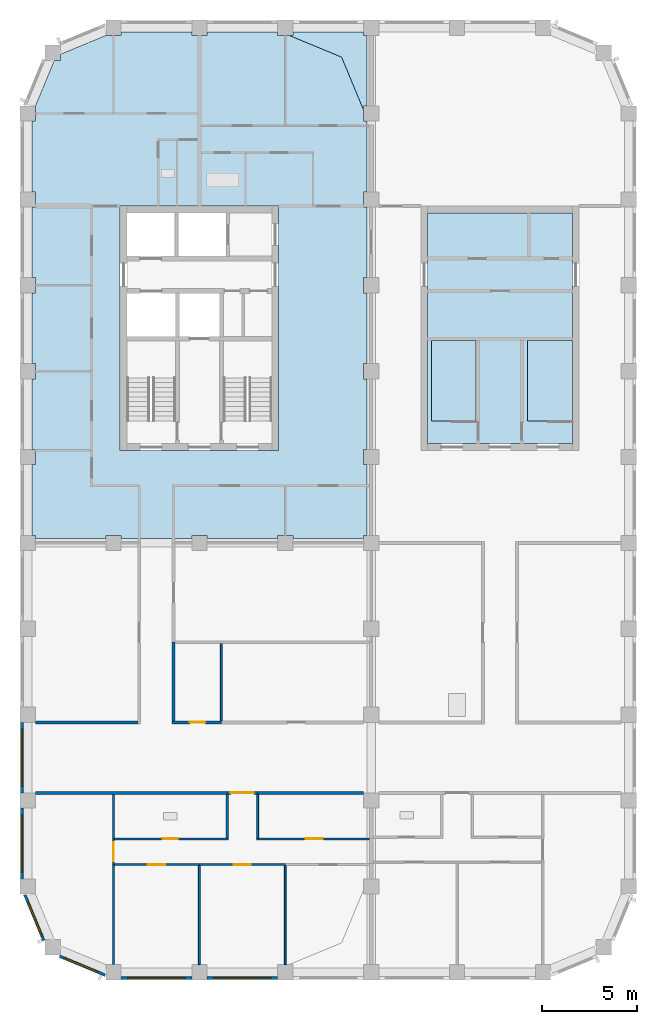
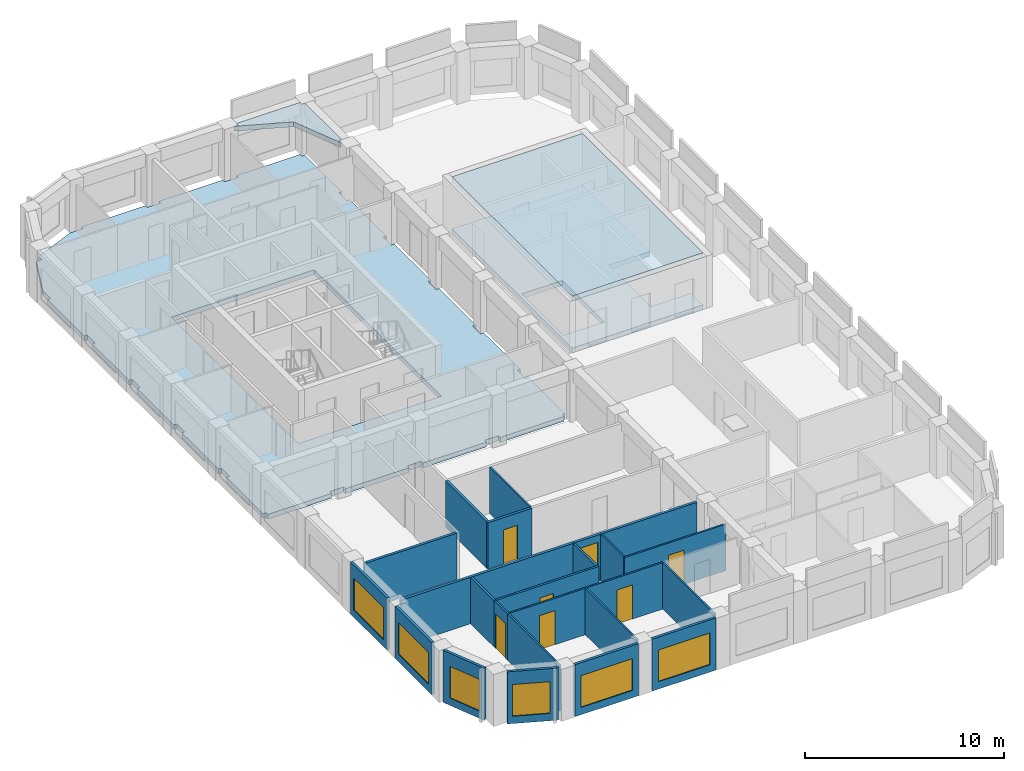
# One storey, part 2 of 10: 24 walls, 7 doors, 6 windows, 4 slabs, 13 openings.
"""IFC4 building model written with IfcOpenShell, lengths in metres."""

from ifc_helpers import new_model, si_unit, direction, frame, frame_2d, origin, place, context, subcontext, project, spatial, polyline, rectangle, outline, extrude, material, layer, layer_set, type_object, element, fill, save


model = new_model("IFC4")

# Units and contexts
model_context = context("Model", 3, precision=1e-05, world=origin(), true_north=direction((0.0, 1.0)))
body_context = subcontext(model_context, "Body", "Model", "MODEL_VIEW")
ifc_project = project(units=[si_unit("LENGTHUNIT", "METRE"), si_unit("AREAUNIT", "SQUARE_METRE"), si_unit("VOLUMEUNIT", "CUBIC_METRE"), si_unit("PLANEANGLEUNIT", "RADIAN"), si_unit("MASSUNIT", "GRAM", prefix="KILO")], contexts=[model_context])

# Site, building, storey
site_placement = place(None, origin())
site = spatial("IfcSite", under=ifc_project, at=site_placement, CompositionType="ELEMENT")
building_placement = place(site_placement, origin())
building = spatial("IfcBuilding", under=site, at=building_placement, Name="Girih Gate Residences", CompositionType="ELEMENT")
storey_placement = place(building_placement, frame((0.0, 0.0, 232.4951171875)))
storey = spatial("IfcBuildingStorey", under=building, at=storey_placement, Name="L65", CompositionType="ELEMENT", Elevation=232.4951171875)

# Slabs
ifc_material_1 = material(Name="Concrete C40/50", Category="concrete")
ifc_layer_1 = layer(ifc_material_1, 0.300048828125)
ifc_layer_set_1 = layer_set([ifc_layer_1], Name="Core floor slab 300")
slab_type_1 = type_object("IfcSlabType", Name="Core floor slab 300", PredefinedType="FLOOR", material=ifc_layer_set_1)
slab_1_placement = place(storey_placement, frame((0.0, 0.0, -0.300048828125)))
element("IfcSlab", 1, at=slab_1_placement, inside=storey, type_object=slab_type_1, Name="L65 C core floor", PredefinedType="FLOOR", context=body_context, shape_type="SweptSolid", body=[
    extrude(outline(polyline([(28.550048828125, 27.699951171875), (20.949951171875, 27.699951171875), (20.949951171875, 39.800048828125), (28.550048828125, 39.800048828125), (28.550048828125, 33.10009765625), (26.199951171875, 33.10009765625), (26.199951171875, 28.900634765625), (28.550048828125, 28.900634765625), (28.550048828125, 27.699951171875)]), holes=[polyline([(23.5, 28.900634765625), (23.5, 33.10009765625), (21.14990234375, 33.10009765625), (21.14990234375, 28.900634765625), (23.5, 28.900634765625)])]), origin(), (0.0, 0.0, 1.0), 0.300048828125),
])
ifc_layer_2 = layer(ifc_material_1, 0.300048828125)
ifc_layer_set_2 = layer_set([ifc_layer_2], Name="Floor slab PT 300 Concrete C40/50")
slab_type_2 = type_object("IfcSlabType", Name="Floor slab PT 300 Concrete C40/50", PredefinedType="FLOOR", material=ifc_layer_set_2)
slab_2_placement = place(storey_placement, frame((0.0, 0.0, -0.300048828125)))
element("IfcSlab", 2, at=slab_2_placement, inside=storey, type_object=slab_type_2, Name="Floor slab L65 2", PredefinedType="FLOOR", context=body_context, shape_type="SweptSolid", body=[
    extrude(outline(polyline([(0.22509765625, 26.60009765625), (0.22509765625, 22.89990234375), (0.39990234375, 22.89990234375), (0.39990234375, 22.72509765625), (4.10009765625, 22.72509765625), (4.10009765625, 22.89990234375), (4.89990234375, 22.89990234375), (4.89990234375, 22.72509765625), (8.60009765625, 22.72509765625), (8.60009765625, 22.89990234375), (9.39990234375, 22.89990234375), (9.39990234375, 22.72509765625), (13.10009765625, 22.72509765625), (13.10009765625, 22.89990234375), (13.89990234375, 22.89990234375), (13.89990234375, 22.72509765625), (17.60009765625, 22.72509765625), (17.60009765625, 22.89990234375), (17.77490234375, 22.89990234375), (17.77490234375, 26.60009765625), (17.60009765625, 26.60009765625), (17.60009765625, 27.39990234375), (17.77490234375, 27.39990234375), (17.77490234375, 31.10009765625), (17.60009765625, 31.10009765625), (17.60009765625, 31.89990234375), (17.77490234375, 31.89990234375), (17.77490234375, 35.60009765625), (17.60009765625, 35.60009765625), (17.60009765625, 36.39990234375), (17.77490234375, 36.39990234375), (17.77490234375, 40.10009765625), (17.60009765625, 40.10009765625), (17.60009765625, 40.89990234375), (17.77490234375, 40.89990234375), (17.77490234375, 44.60009765625), (17.60009765625, 44.60009765625), (17.60009765625, 45.39990234375), (17.77490234375, 45.39990234375), (17.77490234375, 49.10009765625), (17.60009765625, 49.10009765625), (17.60009765625, 49.27490234375), (13.89990234375, 49.27490234375), (13.89990234375, 49.10009765625), (13.10009765625, 49.10009765625), (13.10009765625, 49.27490234375), (9.39990234375, 49.27490234375), (9.39990234375, 49.10009765625), (8.60009765625, 49.10009765625), (8.60009765625, 49.27490234375), (4.89990234375, 49.27490234375), (4.89990234375, 49.10009765625), (4.122314453125, 49.10009765625), (1.718017578125, 48.104248046875), (1.718017578125, 47.781982421875), (1.395751953125, 47.781982421875), (0.39990234375, 45.377685546875), (0.39990234375, 44.60009765625), (0.22509765625, 44.60009765625), (0.22509765625, 40.89990234375), (0.39990234375, 40.89990234375), (0.39990234375, 40.10009765625), (0.22509765625, 40.10009765625), (0.22509765625, 36.39990234375), (0.39990234375, 36.39990234375), (0.39990234375, 35.60009765625), (0.22509765625, 35.60009765625), (0.22509765625, 31.89990234375), (0.39990234375, 31.89990234375), (0.39990234375, 31.10009765625), (0.22509765625, 31.10009765625), (0.22509765625, 27.39990234375), (0.39990234375, 27.39990234375), (0.39990234375, 26.60009765625), (0.22509765625, 26.60009765625)]), holes=[polyline([(13.14990234375, 40.14990234375), (13.14990234375, 27.35009765625), (4.85009765625, 27.35009765625), (4.85009765625, 40.14990234375), (13.14990234375, 40.14990234375)])]), origin(), (0.0, 0.0, 1.0), 0.300048828125),
])
ifc_layer_3 = layer(ifc_material_1, 0.300048828125)
ifc_layer_set_3 = layer_set([ifc_layer_3], Name="Roof slab RC 300 Concrete C40/50")
slab_type_3 = type_object("IfcSlabType", Name="Roof slab RC 300 Concrete C40/50", PredefinedType="ROOF", material=ifc_layer_set_3)
slab_3_placement = place(storey_placement, frame((0.0, 0.0, 2.89990234375)))
element("IfcSlab", 3, at=slab_3_placement, inside=storey, type_object=slab_type_3, Name="Roof slab L65 2", PredefinedType="ROOF", context=body_context, shape_type="SweptSolid", body=[
    extrude(outline(polyline([(20.949951171875, 39.800048828125), (20.949951171875, 27.699951171875), (28.550048828125, 27.699951171875), (28.550048828125, 39.800048828125), (20.949951171875, 39.800048828125)])), origin(), (0.0, 0.0, 1.0), 0.300048828125),
])
slab_4_placement = place(storey_placement, frame((0.0, 0.0, 2.89990234375)))
element("IfcSlab", 4, at=slab_4_placement, inside=storey, type_object=slab_type_3, Name="Roof slab L65 3", PredefinedType="ROOF", context=body_context, shape_type="SweptSolid", body=[
    extrude(outline(polyline([(17.60009765625, 49.27490234375), (13.89990234375, 49.27490234375), (13.89990234375, 49.10009765625), (13.681640625, 49.10009765625), (16.452392578125, 47.952392578125), (17.60009765625, 45.181640625), (17.60009765625, 45.39990234375), (17.77490234375, 45.39990234375), (17.77490234375, 49.10009765625), (17.60009765625, 49.10009765625), (17.60009765625, 49.27490234375)])), origin(), (0.0, 0.0, 1.0), 0.300048828125),
])

# Wall, opening, door
ifc_material_2 = material(Name="Gypsum board on steel studs", Category="steel")
ifc_layer_4 = layer(ifc_material_2, 0.14990234375)
ifc_layer_set_4 = layer_set([ifc_layer_4], Name="Compartment wall 150 mm")
wall_type_1 = type_object("IfcWallType", Name="Compartment wall 150 mm", PredefinedType="PARTITIONING", material=ifc_layer_set_4)
wall_1_placement = place(storey_placement, frame((12.050048828125, 9.39990234375, 0.0), z_axis=(0.0, 0.0, 1.0), x_axis=(-1.0, 0.0, 0.0)))
wall_1 = element("IfcWall", 5, at=wall_1_placement, inside=storey, type_object=wall_type_1, Name="L65 partition", PredefinedType="PARTITIONING", context=body_context, shape_type="SweptSolid", body=[
    extrude(rectangle(XDim=1.60009765625, YDim=0.14990234375, at=frame_2d((0.800048828125, 0.0))), origin(), (0.0, 0.0, 1.0), 2.849853515625),
])
opening_1_placement = place(wall_1_placement, frame((0.199951171875, 0.0, 0.0)))
opening_1 = element("IfcOpeningElement", 6, at=opening_1_placement, cuts=wall_1, Name="Opening A65-007", PredefinedType="OPENING", context=body_context, shape_type="SweptSolid", body=[
    extrude(rectangle(XDim=1.199951171875, YDim=2.39990234375, at=frame_2d((0.60009765625, 1.199951171875))), frame((0.0, 0.0849609375, 0.0), z_axis=(0.0, -1.0, 0.0), x_axis=(1.0, 0.0, 0.0)), (0.0, 0.0, 1.0), 0.169921875),
])
ifc_material_3 = material(Name="Timber, fire-rated core", Category="wood")
door_type_1 = type_object("IfcDoorType", Name="Villa entrance door 1200x2400 FD30S", OperationType="NOTDEFINED", PredefinedType="DOOR", material=ifc_material_3)
door_1_placement = place(opening_1_placement, origin())
door_1 = element("IfcDoor", 7, at=door_1_placement, inside=storey, type_object=door_type_1, Name="Door A65-007", OperationType="SINGLE_SWING_LEFT", OverallHeight=2.39990234375, OverallWidth=1.199951171875, PredefinedType="DOOR", context=body_context, shape_type="SweptSolid", body=[
    extrude(rectangle(XDim=1.199951171875, YDim=2.39990234375, at=frame_2d((0.60009765625, 1.199951171875))), frame((0.0, 0.02490234375, 0.0), z_axis=(0.0, -1.0, 0.0), x_axis=(1.0, 0.0, 0.0)), (0.0, 0.0, 1.0), 0.050048828125),
])
fill(opening_1, door_1)

# Walls
wall_2_placement = place(storey_placement, frame((12.050048828125, 9.39990234375, 0.0), z_axis=(0.0, 0.0, 1.0), x_axis=(1.0, 0.0, 0.0)))
element("IfcWall", 8, at=wall_2_placement, inside=storey, type_object=wall_type_1, Name="L65 partition", PredefinedType="PARTITIONING", context=body_context, shape_type="SweptSolid", body=[
    extrude(rectangle(XDim=5.550048828125, YDim=0.14990234375, at=frame_2d((2.77490234375, 0.0))), origin(), (0.0, 0.0, 1.0), 2.849853515625),
])
wall_3_placement = place(storey_placement, frame((0.39990234375, 9.39990234375, 0.0), z_axis=(0.0, 0.0, 1.0), x_axis=(1.0, 0.0, 0.0)))
element("IfcWall", 9, at=wall_3_placement, inside=storey, type_object=wall_type_1, Name="L65 partition", PredefinedType="PARTITIONING", context=body_context, shape_type="SweptSolid", body=[
    extrude(rectangle(XDim=10.050048828125, YDim=0.14990234375, at=frame_2d((5.02490234375, 0.0))), origin(), (0.0, 0.0, 1.0), 2.849853515625),
])

# Wall, opening, door
wall_4_placement = place(storey_placement, frame((7.574951171875, 13.10009765625, 0.0), z_axis=(0.0, 0.0, 1.0), x_axis=(1.0, 0.0, 0.0)))
wall_4 = element("IfcWall", 10, at=wall_4_placement, inside=storey, type_object=wall_type_1, Name="L65 partition", PredefinedType="PARTITIONING", context=body_context, shape_type="SweptSolid", body=[
    extrude(rectangle(XDim=2.574951171875, YDim=0.14990234375, at=frame_2d((1.28759765625, 0.0))), origin(), (0.0, 0.0, 1.0), 2.849853515625),
])
opening_2_placement = place(wall_4_placement, frame((0.925048828125, 0.0, 0.0)))
opening_2 = element("IfcOpeningElement", 11, at=opening_2_placement, cuts=wall_4, Name="Opening A65-030", PredefinedType="OPENING", context=body_context, shape_type="SweptSolid", body=[
    extrude(rectangle(XDim=0.800048828125, YDim=2.10009765625, at=frame_2d((0.39990234375, 1.050048828125))), frame((0.0, 0.0849609375, 0.0), z_axis=(0.0, -1.0, 0.0), x_axis=(1.0, 0.0, 0.0)), (0.0, 0.0, 1.0), 0.169921875),
])
ifc_material_4 = material(Name="Timber", Category="wood")
door_type_2 = type_object("IfcDoorType", Name="Bathroom door 800x2100", OperationType="NOTDEFINED", PredefinedType="DOOR", material=ifc_material_4)
door_2_placement = place(opening_2_placement, origin())
door_2 = element("IfcDoor", 12, at=door_2_placement, inside=storey, type_object=door_type_2, Name="Door A65-030", OperationType="SINGLE_SWING_RIGHT", OverallHeight=2.10009765625, OverallWidth=0.800048828125, PredefinedType="DOOR", context=body_context, shape_type="SweptSolid", body=[
    extrude(rectangle(XDim=0.800048828125, YDim=2.10009765625, at=frame_2d((0.39990234375, 1.050048828125))), frame((0.0, 0.02490234375, 0.0), z_axis=(0.0, -1.0, 0.0), x_axis=(1.0, 0.0, 0.0)), (0.0, 0.0, 1.0), 0.050048828125),
])
fill(opening_2, door_2)

# Walls
wall_5_placement = place(storey_placement, frame((0.39990234375, 13.10009765625, 0.0), z_axis=(0.0, 0.0, 1.0), x_axis=(1.0, 0.0, 0.0)))
element("IfcWall", 13, at=wall_5_placement, inside=storey, type_object=wall_type_1, Name="L65 partition", PredefinedType="PARTITIONING", context=body_context, shape_type="SweptSolid", body=[
    extrude(rectangle(XDim=5.375, YDim=0.14990234375, at=frame_2d((2.6875, 0.0))), origin(), (0.0, 0.0, 1.0), 2.849853515625),
])
wall_6_placement = place(storey_placement, frame((7.64990234375, 13.175048828125, 0.0), z_axis=(0.0, 0.0, 1.0), x_axis=(0.0, 1.0, 0.0)))
element("IfcWall", 14, at=wall_6_placement, inside=storey, type_object=wall_type_1, Name="L65 partition", PredefinedType="PARTITIONING", context=body_context, shape_type="SweptSolid", body=[
    extrude(rectangle(XDim=4.125, YDim=0.14990234375, at=frame_2d((2.0625, 0.0))), origin(), (0.0, 0.0, 1.0), 2.849853515625),
])
ifc_layer_5 = layer(ifc_material_2, 0.10009765625)
ifc_layer_set_5 = layer_set([ifc_layer_5], Name="Partition 100 mm")
wall_type_2 = type_object("IfcWallType", Name="Partition 100 mm", PredefinedType="PARTITIONING", material=ifc_layer_set_5)
wall_7_placement = place(storey_placement, frame((9.0, 0.39990234375, 0.0), z_axis=(0.0, 0.0, 1.0), x_axis=(0.0, 1.0, 0.0)))
element("IfcWall", 15, at=wall_7_placement, inside=storey, type_object=wall_type_2, Name="L65 partition", PredefinedType="PARTITIONING", context=body_context, shape_type="SweptSolid", body=[
    extrude(rectangle(XDim=5.2001953125, YDim=0.10009765625, at=frame_2d((2.60009765625, 0.0))), origin(), (0.0, 0.0, 1.0), 2.849853515625),
])

# Wall, opening, door
wall_8_placement = place(storey_placement, frame((9.0, 5.64990234375, 0.0), z_axis=(0.0, 0.0, 1.0), x_axis=(-1.0, 0.0, 0.0)))
wall_8 = element("IfcWall", 16, at=wall_8_placement, inside=storey, type_object=wall_type_2, Name="L65 partition", PredefinedType="PARTITIONING", context=body_context, shape_type="SweptSolid", body=[
    extrude(rectangle(XDim=4.449951171875, YDim=0.10009765625, at=frame_2d((2.22509765625, 0.0))), origin(), (0.0, 0.0, 1.0), 2.849853515625),
])
opening_3_placement = place(wall_8_placement, frame((1.800048828125, 0.0, 0.0)))
opening_3 = element("IfcOpeningElement", 17, at=opening_3_placement, cuts=wall_8, Name="Opening A65-002", PredefinedType="OPENING", context=body_context, shape_type="SweptSolid", body=[
    extrude(rectangle(XDim=0.89990234375, YDim=2.10009765625, at=frame_2d((0.449951171875, 1.050048828125))), frame((0.0, 0.06005859375, 0.0), z_axis=(0.0, -1.0, 0.0), x_axis=(1.0, 0.0, 0.0)), (0.0, 0.0, 1.0), 0.1201171875),
])
door_type_3 = type_object("IfcDoorType", Name="Bedroom door 900x2100", OperationType="NOTDEFINED", PredefinedType="DOOR", material=ifc_material_4)
door_3_placement = place(opening_3_placement, origin())
door_3 = element("IfcDoor", 18, at=door_3_placement, inside=storey, type_object=door_type_3, Name="Door A65-002", OperationType="SINGLE_SWING_RIGHT", OverallHeight=2.10009765625, OverallWidth=0.89990234375, PredefinedType="DOOR", context=body_context, shape_type="SweptSolid", body=[
    extrude(rectangle(XDim=0.89990234375, YDim=2.10009765625, at=frame_2d((0.449951171875, 1.050048828125))), frame((0.0, 0.02490234375, 0.0), z_axis=(0.0, -1.0, 0.0), x_axis=(1.0, 0.0, 0.0)), (0.0, 0.0, 1.0), 0.050048828125),
])
fill(opening_3, door_3)

# Walls
wall_9_placement = place(storey_placement, frame((4.5, 0.432861328125, 0.0), z_axis=(0.0, 0.0, 1.0), x_axis=(0.0, 1.0, 0.0)))
element("IfcWall", 19, at=wall_9_placement, inside=storey, type_object=wall_type_2, Name="L65 partition", PredefinedType="PARTITIONING", context=body_context, shape_type="SweptSolid", body=[
    extrude(rectangle(XDim=5.217041015625, YDim=0.10009765625, at=frame_2d((2.6083984375, 0.0))), origin(), (0.0, 0.0, 1.0), 2.849853515625),
])
wall_10_placement = place(storey_placement, frame((13.5, 0.39990234375, 0.0), z_axis=(0.0, 0.0, 1.0), x_axis=(0.0, 1.0, 0.0)))
element("IfcWall", 20, at=wall_10_placement, inside=storey, type_object=wall_type_2, Name="L65 partition", PredefinedType="PARTITIONING", context=body_context, shape_type="SweptSolid", body=[
    extrude(rectangle(XDim=5.2001953125, YDim=0.10009765625, at=frame_2d((2.60009765625, 0.0))), origin(), (0.0, 0.0, 1.0), 2.849853515625),
])

# Wall, opening, door
wall_11_placement = place(storey_placement, frame((13.5, 5.64990234375, 0.0), z_axis=(0.0, 0.0, 1.0), x_axis=(-1.0, 0.0, 0.0)))
wall_11 = element("IfcWall", 21, at=wall_11_placement, inside=storey, type_object=wall_type_2, Name="L65 partition", PredefinedType="PARTITIONING", context=body_context, shape_type="SweptSolid", body=[
    extrude(rectangle(XDim=4.5, YDim=0.10009765625, at=frame_2d((2.25, 0.0))), origin(), (0.0, 0.0, 1.0), 2.849853515625),
])
opening_4_placement = place(wall_11_placement, frame((1.800048828125, 0.0, 0.0)))
opening_4 = element("IfcOpeningElement", 22, at=opening_4_placement, cuts=wall_11, Name="Opening A65-003", PredefinedType="OPENING", context=body_context, shape_type="SweptSolid", body=[
    extrude(rectangle(XDim=0.89990234375, YDim=2.10009765625, at=frame_2d((0.449951171875, 1.050048828125))), frame((0.0, 0.06005859375, 0.0), z_axis=(0.0, -1.0, 0.0), x_axis=(1.0, 0.0, 0.0)), (0.0, 0.0, 1.0), 0.1201171875),
])
door_4_placement = place(opening_4_placement, origin())
door_4 = element("IfcDoor", 23, at=door_4_placement, inside=storey, type_object=door_type_3, Name="Door A65-003", OperationType="SINGLE_SWING_LEFT", OverallHeight=2.10009765625, OverallWidth=0.89990234375, PredefinedType="DOOR", context=body_context, shape_type="SweptSolid", body=[
    extrude(rectangle(XDim=0.89990234375, YDim=2.10009765625, at=frame_2d((0.449951171875, 1.050048828125))), frame((0.0, 0.02490234375, 0.0), z_axis=(0.0, -1.0, 0.0), x_axis=(1.0, 0.0, 0.0)), (0.0, 0.0, 1.0), 0.050048828125),
])
fill(opening_4, door_4)

# Wall
wall_12_placement = place(storey_placement, frame((12.050048828125, 7.0400390625, 0.0), z_axis=(0.0, 0.0, 1.0), x_axis=(0.0, 1.0, 0.0)))
element("IfcWall", 24, at=wall_12_placement, inside=storey, type_object=wall_type_2, Name="L65 partition", PredefinedType="PARTITIONING", context=body_context, shape_type="SweptSolid", body=[
    extrude(rectangle(XDim=2.284912109375, YDim=0.10009765625, at=frame_2d((1.142578125, 0.0))), origin(), (0.0, 0.0, 1.0), 2.849853515625),
])

# Wall, opening, door
wall_13_placement = place(storey_placement, frame((12.0, 6.989990234375, 0.0), z_axis=(0.0, 0.0, 1.0), x_axis=(1.0, 0.0, 0.0)))
wall_13 = element("IfcWall", 25, at=wall_13_placement, inside=storey, type_object=wall_type_2, Name="L65 partition", PredefinedType="PARTITIONING", context=body_context, shape_type="SweptSolid", body=[
    extrude(rectangle(XDim=5.89990234375, YDim=0.10009765625, at=frame_2d((2.949951171875, 0.0))), origin(), (0.0, 0.0, 1.0), 2.849853515625),
])
opening_5_placement = place(wall_13_placement, frame((2.574951171875, 0.0, 0.0)))
opening_5 = element("IfcOpeningElement", 26, at=opening_5_placement, cuts=wall_13, Name="Opening A65-005", PredefinedType="OPENING", context=body_context, shape_type="SweptSolid", body=[
    extrude(rectangle(XDim=0.89990234375, YDim=2.10009765625, at=frame_2d((0.449951171875, 1.050048828125))), frame((0.0, 0.06005859375, 0.0), z_axis=(0.0, -1.0, 0.0), x_axis=(1.0, 0.0, 0.0)), (0.0, 0.0, 1.0), 0.1201171875),
])
door_type_4 = type_object("IfcDoorType", Name="Kitchen door 900x2100", OperationType="NOTDEFINED", PredefinedType="DOOR", material=ifc_material_4)
door_5_placement = place(opening_5_placement, origin())
door_5 = element("IfcDoor", 27, at=door_5_placement, inside=storey, type_object=door_type_4, Name="Door A65-005", OperationType="SINGLE_SWING_RIGHT", OverallHeight=2.10009765625, OverallWidth=0.89990234375, PredefinedType="DOOR", context=body_context, shape_type="SweptSolid", body=[
    extrude(rectangle(XDim=0.89990234375, YDim=2.10009765625, at=frame_2d((0.449951171875, 1.050048828125))), frame((0.0, 0.02490234375, 0.0), z_axis=(0.0, -1.0, 0.0), x_axis=(1.0, 0.0, 0.0)), (0.0, 0.0, 1.0), 0.050048828125),
])
fill(opening_5, door_5)

wall_14_placement = place(storey_placement, frame((4.5, 5.64990234375, 0.0), z_axis=(0.0, 0.0, 1.0), x_axis=(0.0, 1.0, 0.0)))
wall_14 = element("IfcWall", 28, at=wall_14_placement, inside=storey, type_object=wall_type_2, Name="L65 partition", PredefinedType="PARTITIONING", context=body_context, shape_type="SweptSolid", body=[
    extrude(rectangle(XDim=1.340087890625, YDim=0.10009765625, at=frame_2d((0.669921875, 0.0))), origin(), (0.0, 0.0, 1.0), 2.849853515625),
])
opening_6_placement = place(wall_14_placement, frame((0.169921875, 0.0, 0.0)))
opening_6 = element("IfcOpeningElement", 29, at=opening_6_placement, cuts=wall_14, Name="Opening A65-006", PredefinedType="OPENING", context=body_context, shape_type="SweptSolid", body=[
    extrude(rectangle(XDim=1.0, YDim=2.10009765625, at=frame_2d((0.5, 1.050048828125))), frame((0.0, 0.06005859375, 0.0), z_axis=(0.0, -1.0, 0.0), x_axis=(1.0, 0.0, 0.0)), (0.0, 0.0, 1.0), 0.1201171875),
])
door_type_5 = type_object("IfcDoorType", Name="Living room door 1000x2100", OperationType="NOTDEFINED", PredefinedType="DOOR", material=ifc_material_4)
door_6_placement = place(opening_6_placement, origin())
door_6 = element("IfcDoor", 30, at=door_6_placement, inside=storey, type_object=door_type_5, Name="Door A65-006", OperationType="SINGLE_SWING_RIGHT", OverallHeight=2.10009765625, OverallWidth=1.0, PredefinedType="DOOR", context=body_context, shape_type="SweptSolid", body=[
    extrude(rectangle(XDim=1.0, YDim=2.10009765625, at=frame_2d((0.5, 1.050048828125))), frame((0.0, 0.02490234375, 0.0), z_axis=(0.0, -1.0, 0.0), x_axis=(1.0, 0.0, 0.0)), (0.0, 0.0, 1.0), 0.050048828125),
])
fill(opening_6, door_6)

# Wall
wall_15_placement = place(storey_placement, frame((10.14990234375, 13.175048828125, 0.0), z_axis=(0.0, 0.0, 1.0), x_axis=(0.0, 1.0, 0.0)))
element("IfcWall", 31, at=wall_15_placement, inside=storey, type_object=wall_type_2, Name="L65 partition", PredefinedType="PARTITIONING", context=body_context, shape_type="SweptSolid", body=[
    extrude(rectangle(XDim=4.050048828125, YDim=0.10009765625, at=frame_2d((2.02490234375, 0.0))), origin(), (0.0, 0.0, 1.0), 2.849853515625),
])

# Wall, opening, window
ifc_material_5 = material(Name="Precast concrete C50/60", Category="concrete")
ifc_layer_6 = layer(ifc_material_5, 0.050048828125, Name="Outer leaf")
ifc_material_6 = material(Name="Rigid PIR insulation")
ifc_layer_7 = layer(ifc_material_6, 0.06005859375, Name="Insulation")
ifc_material_7 = material(Name="Precast concrete C40/50", Category="concrete")
ifc_layer_8 = layer(ifc_material_7, 0.0400390625, Name="Inner leaf")
ifc_layer_set_6 = layer_set([ifc_layer_6, ifc_layer_7, ifc_layer_8], Name="Precast concrete C50/60 external wall 150")
wall_type_3 = type_object("IfcWallType", Name="Precast concrete C50/60 external wall 150", PredefinedType="SOLIDWALL", material=ifc_layer_set_6)
wall_16_placement = place(storey_placement, frame((-0.300048828125, 9.39990234375, 0.0), z_axis=(0.0, 0.0, 1.0), x_axis=(0.0, 1.0, 0.0)))
wall_16 = element("IfcWall", 32, at=wall_16_placement, inside=storey, type_object=wall_type_3, Name="External wall W0000_0450.7", PredefinedType="SOLIDWALL", context=body_context, shape_type="SweptSolid", body=[
    extrude(rectangle(XDim=3.7001953125, YDim=0.14990234375, at=frame_2d((1.85009765625, 0.0))), origin(), (0.0, 0.0, 1.0), 3.199951171875),
])
opening_7_placement = place(wall_16_placement, frame((0.35009765625, 0.0, 0.449951171875)))
opening_7 = element("IfcOpeningElement", 33, at=opening_7_placement, cuts=wall_16, Name="Opening W-1D", PredefinedType="OPENING", context=body_context, shape_type="SweptSolid", body=[
    extrude(rectangle(XDim=3.0, YDim=1.949951171875, at=frame_2d((1.5, 0.97509765625))), frame((0.0, 0.0849609375, 0.0), z_axis=(0.0, -1.0, 0.0), x_axis=(1.0, 0.0, 0.0)), (0.0, 0.0, 1.0), 0.169921875),
])
ifc_material_8 = material(Name="Double glazing in aluminium frame", Category="aluminium")
window_type_1 = type_object("IfcWindowType", Name="Window W-1D 3000x1950", PartitioningType="SINGLE_PANEL", PredefinedType="WINDOW", material=ifc_material_8)
window_1_placement = place(opening_7_placement, origin())
window_1 = element("IfcWindow", 34, at=window_1_placement, inside=storey, type_object=window_type_1, Name="Window W-1D W0000_0450.7", OverallHeight=1.949951171875, OverallWidth=3.0, PartitioningType="SINGLE_PANEL", PredefinedType="WINDOW", context=body_context, shape_type="SweptSolid", body=[
    extrude(rectangle(XDim=3.0, YDim=1.949951171875, at=frame_2d((1.5, 0.97509765625))), frame((0.0, 0.030029296875, 0.0), z_axis=(0.0, -1.0, 0.0), x_axis=(1.0, 0.0, 0.0)), (0.0, 0.0, 1.0), 0.06005859375),
])
fill(opening_7, window_1)

wall_17_placement = place(storey_placement, frame((-0.300048828125, 4.89990234375, 0.0), z_axis=(0.0, 0.0, 1.0), x_axis=(0.0, 1.0, 0.0)))
wall_17 = element("IfcWall", 35, at=wall_17_placement, inside=storey, type_object=wall_type_3, Name="External wall W0000_0450.8", PredefinedType="SOLIDWALL", context=body_context, shape_type="SweptSolid", body=[
    extrude(rectangle(XDim=3.7001953125, YDim=0.14990234375, at=frame_2d((1.85009765625, 0.0))), origin(), (0.0, 0.0, 1.0), 3.199951171875),
])
opening_8_placement = place(wall_17_placement, frame((0.35009765625, 0.0, 0.449951171875)))
opening_8 = element("IfcOpeningElement", 36, at=opening_8_placement, cuts=wall_17, Name="Opening W-1D", PredefinedType="OPENING", context=body_context, shape_type="SweptSolid", body=[
    extrude(rectangle(XDim=3.0, YDim=1.949951171875, at=frame_2d((1.5, 0.97509765625))), frame((0.0, 0.0849609375, 0.0), z_axis=(0.0, -1.0, 0.0), x_axis=(1.0, 0.0, 0.0)), (0.0, 0.0, 1.0), 0.169921875),
])
window_2_placement = place(opening_8_placement, origin())
window_2 = element("IfcWindow", 37, at=window_2_placement, inside=storey, type_object=window_type_1, Name="Window W-1D W0000_0450.8", OverallHeight=1.949951171875, OverallWidth=3.0, PartitioningType="SINGLE_PANEL", PredefinedType="WINDOW", context=body_context, shape_type="SweptSolid", body=[
    extrude(rectangle(XDim=3.0, YDim=1.949951171875, at=frame_2d((1.5, 0.97509765625))), frame((0.0, 0.030029296875, 0.0), z_axis=(0.0, -1.0, 0.0), x_axis=(1.0, 0.0, 0.0)), (0.0, 0.0, 1.0), 0.06005859375),
])
fill(opening_8, window_2)

wall_18_placement = place(storey_placement, frame((0.8486328125, 1.6669921875, 0.0), z_axis=(0.0, 0.0, 1.0), x_axis=(-0.382669406082, 0.923885342263, 0.0)))
wall_18 = element("IfcWall", 38, at=wall_18_placement, inside=storey, type_object=wall_type_3, Name="External wall SW0000_0045.0", PredefinedType="SOLIDWALL", context=body_context, shape_type="SweptSolid", body=[
    extrude(rectangle(XDim=2.602294921875, YDim=0.14990234375, at=frame_2d((1.30126953125, 0.0))), origin(), (0.0, 0.0, 1.0), 3.199951171875),
])
opening_9_placement = place(wall_18_placement, frame((0.27001953125, 0.0, 0.449951171875)))
opening_9 = element("IfcOpeningElement", 39, at=opening_9_placement, cuts=wall_18, Name="Opening W-2G", PredefinedType="OPENING", context=body_context, shape_type="SweptSolid", body=[
    extrude(rectangle(XDim=1.89990234375, YDim=1.949951171875, at=frame_2d((0.949951171875, 0.97509765625))), frame((0.0, 0.0849609375, 0.0), z_axis=(0.0, -1.0, 0.0), x_axis=(1.0, 0.0, 0.0)), (0.0, 0.0, 1.0), 0.169921875),
])
window_type_2 = type_object("IfcWindowType", Name="Window W-2G 1900x1950", PartitioningType="SINGLE_PANEL", PredefinedType="WINDOW", material=ifc_material_8)
window_3_placement = place(opening_9_placement, origin())
window_3 = element("IfcWindow", 40, at=window_3_placement, inside=storey, type_object=window_type_2, Name="Window W-2G SW0000_0045.0", OverallHeight=1.949951171875, OverallWidth=1.89990234375, PartitioningType="SINGLE_PANEL", PredefinedType="WINDOW", context=body_context, shape_type="SweptSolid", body=[
    extrude(rectangle(XDim=1.89990234375, YDim=1.949951171875, at=frame_2d((0.949951171875, 0.97509765625))), frame((0.0, 0.030029296875, 0.0), z_axis=(0.0, -1.0, 0.0), x_axis=(1.0, 0.0, 0.0)), (0.0, 0.0, 1.0), 0.06005859375),
])
fill(opening_9, window_3)

wall_19_placement = place(storey_placement, frame((4.0712890625, -0.147216796875, 0.0), z_axis=(0.0, 0.0, 1.0), x_axis=(-0.923885342263, 0.382669406082, 0.0)))
wall_19 = element("IfcWall", 41, at=wall_19_placement, inside=storey, type_object=wall_type_3, Name="External wall SW0013_0013.0", PredefinedType="SOLIDWALL", context=body_context, shape_type="SweptSolid", body=[
    extrude(rectangle(XDim=2.602294921875, YDim=0.14990234375, at=frame_2d((1.30126953125, 0.0))), origin(), (0.0, 0.0, 1.0), 3.199951171875),
])
opening_10_placement = place(wall_19_placement, frame((0.432373046875, 0.0, 0.449951171875)))
opening_10 = element("IfcOpeningElement", 42, at=opening_10_placement, cuts=wall_19, Name="Opening W-2G", PredefinedType="OPENING", context=body_context, shape_type="SweptSolid", body=[
    extrude(rectangle(XDim=1.89990234375, YDim=1.949951171875, at=frame_2d((0.949951171875, 0.97509765625))), frame((0.0, 0.0849609375, 0.0), z_axis=(0.0, -1.0, 0.0), x_axis=(1.0, 0.0, 0.0)), (0.0, 0.0, 1.0), 0.169921875),
])
window_4_placement = place(opening_10_placement, origin())
window_4 = element("IfcWindow", 43, at=window_4_placement, inside=storey, type_object=window_type_2, Name="Window W-2G SW0013_0013.0", OverallHeight=1.949951171875, OverallWidth=1.89990234375, PartitioningType="SINGLE_PANEL", PredefinedType="WINDOW", context=body_context, shape_type="SweptSolid", body=[
    extrude(rectangle(XDim=1.89990234375, YDim=1.949951171875, at=frame_2d((0.949951171875, 0.97509765625))), frame((0.0, 0.030029296875, 0.0), z_axis=(0.0, -1.0, 0.0), x_axis=(1.0, 0.0, 0.0)), (0.0, 0.0, 1.0), 0.06005859375),
])
fill(opening_10, window_4)

wall_20_placement = place(storey_placement, frame((8.60009765625, -0.300048828125, 0.0), z_axis=(0.0, 0.0, 1.0), x_axis=(-1.0, 0.0, 0.0)))
wall_20 = element("IfcWall", 44, at=wall_20_placement, inside=storey, type_object=wall_type_3, Name="External wall S0045_0000.0", PredefinedType="SOLIDWALL", context=body_context, shape_type="SweptSolid", body=[
    extrude(rectangle(XDim=3.7001953125, YDim=0.14990234375, at=frame_2d((1.85009765625, 0.0))), origin(), (0.0, 0.0, 1.0), 3.199951171875),
])
opening_11_placement = place(wall_20_placement, frame((0.35009765625, 0.0, 0.449951171875)))
opening_11 = element("IfcOpeningElement", 45, at=opening_11_placement, cuts=wall_20, Name="Opening W-1D", PredefinedType="OPENING", context=body_context, shape_type="SweptSolid", body=[
    extrude(rectangle(XDim=3.0, YDim=1.949951171875, at=frame_2d((1.5, 0.97509765625))), frame((0.0, 0.0849609375, 0.0), z_axis=(0.0, -1.0, 0.0), x_axis=(1.0, 0.0, 0.0)), (0.0, 0.0, 1.0), 0.169921875),
])
window_5_placement = place(opening_11_placement, origin())
window_5 = element("IfcWindow", 46, at=window_5_placement, inside=storey, type_object=window_type_1, Name="Window W-1D S0045_0000.0", OverallHeight=1.949951171875, OverallWidth=3.0, PartitioningType="SINGLE_PANEL", PredefinedType="WINDOW", context=body_context, shape_type="SweptSolid", body=[
    extrude(rectangle(XDim=3.0, YDim=1.949951171875, at=frame_2d((1.5, 0.97509765625))), frame((0.0, 0.030029296875, 0.0), z_axis=(0.0, -1.0, 0.0), x_axis=(1.0, 0.0, 0.0)), (0.0, 0.0, 1.0), 0.06005859375),
])
fill(opening_11, window_5)

wall_21_placement = place(storey_placement, frame((13.10009765625, -0.300048828125, 0.0), z_axis=(0.0, 0.0, 1.0), x_axis=(-1.0, 0.0, 0.0)))
wall_21 = element("IfcWall", 47, at=wall_21_placement, inside=storey, type_object=wall_type_3, Name="External wall S0045_0000.1", PredefinedType="SOLIDWALL", context=body_context, shape_type="SweptSolid", body=[
    extrude(rectangle(XDim=3.7001953125, YDim=0.14990234375, at=frame_2d((1.85009765625, 0.0))), origin(), (0.0, 0.0, 1.0), 3.199951171875),
])
opening_12_placement = place(wall_21_placement, frame((0.35009765625, 0.0, 0.449951171875)))
opening_12 = element("IfcOpeningElement", 48, at=opening_12_placement, cuts=wall_21, Name="Opening W-1D", PredefinedType="OPENING", context=body_context, shape_type="SweptSolid", body=[
    extrude(rectangle(XDim=3.0, YDim=1.949951171875, at=frame_2d((1.5, 0.97509765625))), frame((0.0, 0.0849609375, 0.0), z_axis=(0.0, -1.0, 0.0), x_axis=(1.0, 0.0, 0.0)), (0.0, 0.0, 1.0), 0.169921875),
])
window_6_placement = place(opening_12_placement, origin())
window_6 = element("IfcWindow", 49, at=window_6_placement, inside=storey, type_object=window_type_1, Name="Window W-1D S0045_0000.1", OverallHeight=1.949951171875, OverallWidth=3.0, PartitioningType="SINGLE_PANEL", PredefinedType="WINDOW", context=body_context, shape_type="SweptSolid", body=[
    extrude(rectangle(XDim=3.0, YDim=1.949951171875, at=frame_2d((1.5, 0.97509765625))), frame((0.0, 0.030029296875, 0.0), z_axis=(0.0, -1.0, 0.0), x_axis=(1.0, 0.0, 0.0)), (0.0, 0.0, 1.0), 0.06005859375),
])
fill(opening_12, window_6)

# Wall
ifc_layer_9 = layer(ifc_material_2, 0.125)
ifc_layer_set_7 = layer_set([ifc_layer_9], Name="Wet room wall 125 mm")
wall_type_4 = type_object("IfcWallType", Name="Wet room wall 125 mm", PredefinedType="PARTITIONING", material=ifc_layer_set_7)
wall_22_placement = place(storey_placement, frame((10.449951171875, 7.052490234375, 0.0), z_axis=(0.0, 0.0, 1.0), x_axis=(0.0, 1.0, 0.0)))
element("IfcWall", 50, at=wall_22_placement, inside=storey, type_object=wall_type_4, Name="L65 partition", PredefinedType="PARTITIONING", context=body_context, shape_type="SweptSolid", body=[
    extrude(rectangle(XDim=2.2724609375, YDim=0.125, at=frame_2d((1.13623046875, 0.0))), origin(), (0.0, 0.0, 1.0), 2.849853515625),
])

# Wall, opening, door
wall_23_placement = place(storey_placement, frame((4.5625, 6.989990234375, 0.0), z_axis=(0.0, 0.0, 1.0), x_axis=(1.0, 0.0, 0.0)))
wall_23 = element("IfcWall", 51, at=wall_23_placement, inside=storey, type_object=wall_type_4, Name="L65 partition", PredefinedType="PARTITIONING", context=body_context, shape_type="SweptSolid", body=[
    extrude(rectangle(XDim=5.949951171875, YDim=0.125, at=frame_2d((2.97509765625, 0.0))), origin(), (0.0, 0.0, 1.0), 2.849853515625),
])
opening_13_placement = place(wall_23_placement, frame((2.512451171875, 0.0, 0.0)))
opening_13 = element("IfcOpeningElement", 52, at=opening_13_placement, cuts=wall_23, Name="Opening A65-001", PredefinedType="OPENING", context=body_context, shape_type="SweptSolid", body=[
    extrude(rectangle(XDim=0.800048828125, YDim=2.10009765625, at=frame_2d((0.39990234375, 1.050048828125))), frame((0.0, 0.072509765625, 0.0), z_axis=(0.0, -1.0, 0.0), x_axis=(1.0, 0.0, 0.0)), (0.0, 0.0, 1.0), 0.14501953125),
])
door_7_placement = place(opening_13_placement, origin())
door_7 = element("IfcDoor", 53, at=door_7_placement, inside=storey, type_object=door_type_2, Name="Door A65-001", OperationType="SINGLE_SWING_LEFT", OverallHeight=2.10009765625, OverallWidth=0.800048828125, PredefinedType="DOOR", context=body_context, shape_type="SweptSolid", body=[
    extrude(rectangle(XDim=0.800048828125, YDim=2.10009765625, at=frame_2d((0.39990234375, 1.050048828125))), frame((0.0, 0.02490234375, 0.0), z_axis=(0.0, -1.0, 0.0), x_axis=(1.0, 0.0, 0.0)), (0.0, 0.0, 1.0), 0.050048828125),
])
fill(opening_13, door_7)

# Wall
wall_24_placement = place(storey_placement, frame((4.5, 6.989990234375, 0.0), z_axis=(0.0, 0.0, 1.0), x_axis=(0.0, 1.0, 0.0)))
element("IfcWall", 54, at=wall_24_placement, inside=storey, type_object=wall_type_4, Name="L65 partition", PredefinedType="PARTITIONING", context=body_context, shape_type="SweptSolid", body=[
    extrude(rectangle(XDim=2.3349609375, YDim=0.125, at=frame_2d((1.16748046875, 0.0))), origin(), (0.0, 0.0, 1.0), 2.849853515625),
])

save(model, "model.ifc")
